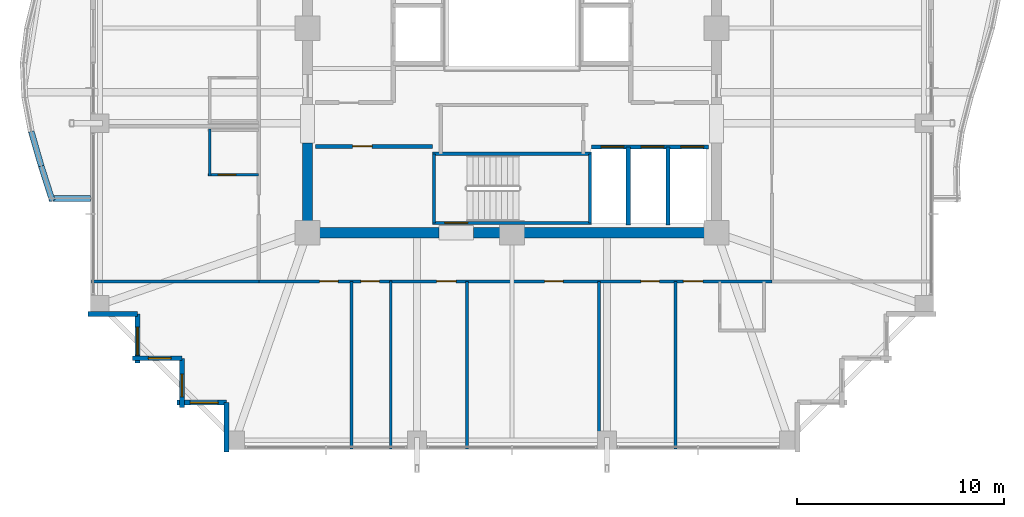
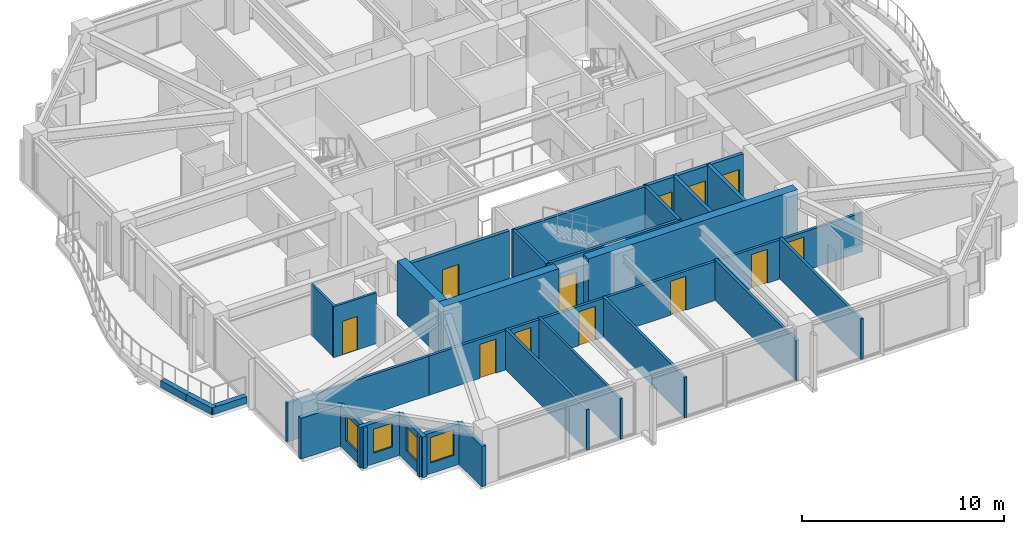
# One storey, part 29 of 35: 29 walls, 12 doors, 4 windows, 16 openings.
"""IFC4 building model written with IfcOpenShell, lengths in metres."""

import ifcopenshell
import ifcopenshell.guid

model = None  # the IFC model being written
_history = None  # IfcOwnerHistory: only IFC2X3 demands one
_inside = {}  # id of a spatial element -> (the spatial element, [elements in it])
_under = {}  # id of a project, library or spatial element -> (it, [spatial elements below it])
_declared = {}  # id of a project -> (the project, [libraries it declares])
_typed = {}  # id of a type object -> (the type object, [elements of that type])
_made_of = {}  # id of a material, layer set ... -> (it, [elements and type objects made of it])


def new_model(schema):
    """Start an empty IFC model of exactly this schema.

    Asked for "IFC4X3", IfcOpenShell would pick the latest addendum, in which some entities
    have other attributes; the version numbers below select the first issue.
    IFC2X3 requires an IfcOwnerHistory on every rooted entity: one is made here for all.
    """
    global model, _history
    if schema == "IFC4X3":
        model = ifcopenshell.file(schema_version=(4, 3, 0, 0))
    else:
        model = ifcopenshell.file(schema=schema)
    _inside.clear()
    _under.clear()
    _declared.clear()
    _typed.clear()
    _made_of.clear()
    _history = None
    if model.schema == "IFC2X3":
        org = make("IfcOrganization", Name="unknown")
        user = make(
            "IfcPersonAndOrganization",
            ThePerson=make("IfcPerson", FamilyName="unknown"),
            TheOrganization=org,
        )
        app = make(
            "IfcApplication",
            ApplicationDeveloper=org,
            Version="unknown",
            ApplicationFullName="unknown",
            ApplicationIdentifier="unknown",
        )
        _history = make(
            "IfcOwnerHistory",
            OwningUser=user,
            OwningApplication=app,
            ChangeAction="ADDED",
            CreationDate=0,
        )
    return model


def make(cls, **values):
    """One entity of the class cls with the attributes given. An attribute that is None is left unset."""
    return model.create_entity(
        cls, **{name: value for name, value in values.items() if value is not None}
    )


def rooted(cls, **values):
    """An entity with a GlobalId (a new one), such as an element, a storey or a relation."""
    return make(cls, GlobalId=ifcopenshell.guid.new(), OwnerHistory=_history, **values)


def si_unit(unit_type, name, prefix=None):
    """IfcSIUnit, for example si_unit("LENGTHUNIT", "METRE", prefix="MILLI")."""
    return make("IfcSIUnit", UnitType=unit_type, Prefix=prefix, Name=name)


def assignment(units):
    """IfcUnitAssignment: the units of a project."""
    return None if units is None else make("IfcUnitAssignment", Units=units)


def point(xyz):
    """IfcCartesianPoint."""
    return None if xyz is None else make("IfcCartesianPoint", Coordinates=xyz)


def direction(xyz):
    """IfcDirection."""
    return None if xyz is None else make("IfcDirection", DirectionRatios=xyz)


def frame(location, z_axis=None, x_axis=None):
    """IfcAxis2Placement3D, a coordinate frame: its origin and axes. An axis left out is left unset."""
    return make(
        "IfcAxis2Placement3D",
        Location=point(location),
        Axis=direction(z_axis),
        RefDirection=direction(x_axis),
    )


def frame_2d(location, x_axis=None):
    """IfcAxis2Placement2D, a coordinate frame in the plane: its origin and x axis."""
    return make(
        "IfcAxis2Placement2D", Location=point(location), RefDirection=direction(x_axis)
    )


def origin():
    """The frame at (0, 0, 0) with its axes left unset."""
    return frame((0.0, 0.0, 0.0))


def place(relative_to, where):
    """IfcLocalPlacement: puts the frame where relative to a parent placement (None: the world)."""
    return make(
        "IfcLocalPlacement", PlacementRelTo=relative_to, RelativePlacement=where
    )


def context(
    kind, dimensions, precision=None, world=None, true_north=None, identifier=None
):
    """IfcGeometricRepresentationContext, for example the 3D "Model" context."""
    return make(
        "IfcGeometricRepresentationContext",
        ContextIdentifier=identifier,
        ContextType=kind,
        CoordinateSpaceDimension=dimensions,
        Precision=precision,
        WorldCoordinateSystem=world,
        TrueNorth=true_north,
    )


def subcontext(parent, identifier, kind, view, scale=None):
    """IfcGeometricRepresentationSubContext, for example "Body" below "Model"."""
    return make(
        "IfcGeometricRepresentationSubContext",
        ContextIdentifier=identifier,
        ContextType=kind,
        ParentContext=parent,
        TargetScale=scale,
        TargetView=view,
    )


def project(units=None, contexts=None):
    """IfcProject with its units and contexts."""
    return rooted(
        "IfcProject",
        Name="project",
        RepresentationContexts=contexts,
        UnitsInContext=assignment(units),
    )


def spatial(cls, under=None, at=None, **own):
    """A site, building, storey or space (cls), placed at a placement, below another one or the project."""
    s = rooted(cls, ObjectPlacement=at, **own)
    if under is not None:
        _under.setdefault(under.id(), (under, []))[1].append(s)
    return s


def profile(cls, at=None, kind="AREA", **sizes):
    """A parametric profile (cls). Its sizes go by their IFC names, for example OverallWidth=200.0."""
    return make(cls, ProfileType=kind, Position=at, **sizes)


def rectangle(**sizes):
    """IfcRectangleProfileDef."""
    return profile("IfcRectangleProfileDef", **sizes)


def extrude(swept, where, along, depth):
    """IfcExtrudedAreaSolid: the profile swept, set in the frame where, extruded along a direction by depth."""
    return make(
        "IfcExtrudedAreaSolid",
        SweptArea=swept,
        Position=where,
        ExtrudedDirection=direction(along),
        Depth=depth,
    )


def shape(context_of_items, identifier, shape_type, items):
    """IfcShapeRepresentation: the items that make up one representation, for example the "Body"."""
    return make(
        "IfcShapeRepresentation",
        ContextOfItems=context_of_items,
        RepresentationIdentifier=identifier,
        RepresentationType=shape_type,
        Items=items,
    )


def material(Name=None, Category=None):
    """IfcMaterial."""
    return make("IfcMaterial", Name=Name, Category=Category)


def layer(
    of_material, thickness, ventilated=None, Name=None, Category=None, Priority=None
):
    """IfcMaterialLayer: one layer of a wall or slab, of a material (None: an air gap)."""
    return make(
        "IfcMaterialLayer",
        Material=of_material,
        LayerThickness=thickness,
        IsVentilated=ventilated,
        Name=Name,
        Category=Category,
        Priority=Priority,
    )


def layer_set(layers, Name=None):
    """IfcMaterialLayerSet."""
    return make("IfcMaterialLayerSet", MaterialLayers=layers, LayerSetName=Name)


def made_of(thing, what):
    """Note that an element or type object is made of a material, layer set ...; save() writes the relation."""
    if what is not None:
        _made_of.setdefault(what.id(), (what, []))[1].append(thing)
    return thing


def type_object(cls, material=None, **own):
    """A type object (cls), such as IfcWallType, which elements share."""
    return made_of(rooted(cls, **own), material)


def element(
    cls,
    number,
    at=None,
    inside=None,
    cuts=None,
    type_object=None,
    material=None,
    context=None,
    identifier="Body",
    shape_type=None,
    held_by="IfcProductDefinitionShape",
    body=None,
    shapes=None,
    **own,
):
    """One element of the class cls, such as IfcWall. Its Tag is "e" and its number.

    at: its placement. inside: the storey or other place that contains it. cuts: it is an
    opening in that element (IfcRelVoidsElement). A single representation is given by context,
    identifier, shape_type and body (its items); several are given by shapes. held_by: the class
    of the entity that holds the representations. save() writes the other relations.
    """
    e = rooted(cls, Tag="e%d" % number, ObjectPlacement=at, **own)
    if body is not None:
        shapes = [shape(context, identifier, shape_type, body)]
    if shapes is not None:
        e.Representation = make(held_by, Representations=shapes)
    if inside is not None:
        _inside.setdefault(inside.id(), (inside, []))[1].append(e)
    if cuts is not None:
        rooted(
            "IfcRelVoidsElement", RelatingBuildingElement=cuts, RelatedOpeningElement=e
        )
    if type_object is not None:
        _typed.setdefault(type_object.id(), (type_object, []))[1].append(e)
    return made_of(e, material)


def fill(opening, filler):
    """IfcRelFillsElement: the door or window that sits in an opening."""
    return rooted(
        "IfcRelFillsElement",
        RelatingOpeningElement=opening,
        RelatedBuildingElement=filler,
    )


def aggregate(whole, parts):
    """IfcRelAggregates: a whole, such as a stair, and the parts it consists of."""
    return rooted("IfcRelAggregates", RelatingObject=whole, RelatedObjects=parts)


def save(model, path):
    """Write the relations noted so far, then the file.

    IfcRelAggregates (storeys below a building ...), IfcRelContainedInSpatialStructure (elements
    in a storey), IfcRelDefinesByType, IfcRelAssociatesMaterial and IfcRelDeclares: one each for
    every whole, place, type object, material and project.
    """
    for whole, parts in _under.values():
        aggregate(whole, parts)
    for where, things in _inside.values():
        rooted(
            "IfcRelContainedInSpatialStructure",
            RelatedElements=things,
            RelatingStructure=where,
        )
    for kind, things in _typed.values():
        rooted("IfcRelDefinesByType", RelatedObjects=things, RelatingType=kind)
    for what, things in _made_of.values():
        rooted("IfcRelAssociatesMaterial", RelatedObjects=things, RelatingMaterial=what)
    for by, libraries in _declared.values():
        rooted("IfcRelDeclares", RelatingContext=by, RelatedDefinitions=libraries)
    model.write(path)


model = new_model("IFC4")

# Units and contexts
model_context = context("Model", 3, precision=1e-05, world=origin(), true_north=direction((0.0, 1.0)))
body_context = subcontext(model_context, "Body", "Model", "MODEL_VIEW")
ifc_project = project(units=[si_unit("LENGTHUNIT", "METRE"), si_unit("AREAUNIT", "SQUARE_METRE"), si_unit("VOLUMEUNIT", "CUBIC_METRE"), si_unit("PLANEANGLEUNIT", "RADIAN"), si_unit("MASSUNIT", "GRAM", prefix="KILO")], contexts=[model_context])

# Site, building, storey
site_placement = place(None, origin())
site = spatial("IfcSite", under=ifc_project, at=site_placement, CompositionType="ELEMENT")
building_placement = place(site_placement, origin())
building = spatial("IfcBuilding", under=site, at=building_placement, Name="Kolvaren Belvedere", CompositionType="ELEMENT")
storey_placement = place(building_placement, frame((0.0, 0.0, 176.699951171875)))
storey = spatial("IfcBuildingStorey", under=building, at=storey_placement, Name="L51", CompositionType="ELEMENT", Elevation=176.699951171875)

# Walls
ifc_material_1 = material(Name="Concrete C50/60", Category="concrete")
ifc_layer_1 = layer(ifc_material_1, 0.5)
ifc_layer_set_1 = layer_set([ifc_layer_1], Name="Concrete C50/60")
wall_type_1 = type_object("IfcWallType", Name="CW-CORE-500", PredefinedType="SHEAR", material=ifc_layer_set_1)
wall_1_placement = place(storey_placement, frame((10.14990234375, -9.89990234375, 0.0), z_axis=(0.0, 0.0, 1.0), x_axis=(-1.0, 0.0, 0.0)))
element("IfcWall", 1, at=wall_1_placement, inside=storey, type_object=wall_type_1, Name="L51 South Core Shear Wall 1", PredefinedType="SHEAR", context=body_context, shape_type="SweptSolid", body=[
    extrude(rectangle(XDim=12.010009765625, YDim=0.5, at=frame_2d((6.0048828125, 0.0))), origin(), (0.0, 0.0, 1.0), 3.300048828125),
])
wall_2_placement = place(storey_placement, frame((-3.5400390625, -9.89990234375, 0.0), z_axis=(0.0, 0.0, 1.0), x_axis=(-1.0, 0.0, 0.0)))
element("IfcWall", 2, at=wall_2_placement, inside=storey, type_object=wall_type_1, Name="L51 South Core Shear Wall 2", PredefinedType="SHEAR", context=body_context, shape_type="SweptSolid", body=[
    extrude(rectangle(XDim=6.60986328125, YDim=0.5, at=frame_2d((3.304931640625, 0.0))), origin(), (0.0, 0.0, 1.0), 3.300048828125),
])
wall_3_placement = place(storey_placement, frame((-9.89990234375, -9.64990234375, 0.0), z_axis=(0.0, 0.0, 1.0), x_axis=(0.0, 1.0, 0.0)))
element("IfcWall", 3, at=wall_3_placement, inside=storey, type_object=wall_type_1, Name="L51 West Core Shear Wall 1", PredefinedType="SHEAR", context=body_context, shape_type="SweptSolid", body=[
    extrude(rectangle(XDim=4.099853515625, YDim=0.5, at=frame_2d((2.0498046875, 0.0))), origin(), (0.0, 0.0, 1.0), 3.300048828125),
])

# Wall, opening, door
ifc_material_2 = material(Name="Concrete C50/60", Category="concrete")
ifc_layer_2 = layer(ifc_material_2, 0.159912109375)
ifc_layer_set_2 = layer_set([ifc_layer_2], Name="Concrete C50/60")
wall_type_2 = type_object("IfcWallType", Name="CW-STAIR-160", PredefinedType="SHEAR", material=ifc_layer_set_2)
wall_4_placement = place(storey_placement, frame((3.860107421875, -9.429931640625, 0.0), z_axis=(0.0, 0.0, 1.0), x_axis=(-1.0, 0.0, 0.0)))
wall_4 = element("IfcWall", 4, at=wall_4_placement, inside=storey, type_object=wall_type_2, Name="L51 Stair ST-3 South Shear Wall", PredefinedType="SHEAR", context=body_context, shape_type="SweptSolid", body=[
    extrude(rectangle(XDim=7.72021484375, YDim=0.159912109375, at=frame_2d((3.860107421875, 0.0))), origin(), (0.0, 0.0, 1.0), 3.300048828125),
])
opening_1_placement = place(wall_4_placement, frame((6.010009765625, 0.0, 0.0)))
opening_1 = element("IfcOpeningElement", 5, at=opening_1_placement, cuts=wall_4, Name="Opening D-FD90", PredefinedType="OPENING", context=body_context, shape_type="SweptSolid", body=[
    extrude(rectangle(XDim=1.10009765625, YDim=2.199951171875, at=frame_2d((0.550048828125, 1.10009765625))), frame((0.0, 0.08984375, 0.0), z_axis=(0.0, -1.0, 0.0), x_axis=(1.0, 0.0, 0.0)), (0.0, 0.0, 1.0), 0.179931640625),
])
ifc_material_3 = material(Name="Painted hollow stainless steel", Category="steel")
door_type_1 = type_object("IfcDoorType", Name="DR-FD90-1100", OperationType="NOTDEFINED", PredefinedType="DOOR", material=ifc_material_3)
door_1_placement = place(opening_1_placement, origin())
door_1 = element("IfcDoor", 6, at=door_1_placement, inside=storey, type_object=door_type_1, Name="L51 Stair ST-3 Exit Door", OperationType="SINGLE_SWING_RIGHT", OverallHeight=2.199951171875, OverallWidth=1.10009765625, PredefinedType="DOOR", context=body_context, shape_type="SweptSolid", body=[
    extrude(rectangle(XDim=1.10009765625, YDim=2.199951171875, at=frame_2d((0.550048828125, 1.10009765625))), frame((0.0, 0.02490234375, 0.0), z_axis=(0.0, -1.0, 0.0), x_axis=(1.0, 0.0, 0.0)), (0.0, 0.0, 1.0), 0.050048828125),
])
fill(opening_1, door_1)

# Walls
wall_5_placement = place(storey_placement, frame((-3.860107421875, -6.080078125, 0.0), z_axis=(0.0, 0.0, 1.0), x_axis=(1.0, 0.0, 0.0)))
element("IfcWall", 7, at=wall_5_placement, inside=storey, type_object=wall_type_2, Name="L51 Stair ST-3 North Shear Wall", PredefinedType="SHEAR", context=body_context, shape_type="SweptSolid", body=[
    extrude(rectangle(XDim=7.72021484375, YDim=0.159912109375, at=frame_2d((3.860107421875, 0.0))), origin(), (0.0, 0.0, 1.0), 3.300048828125),
])
for number, where, z_axis, x_axis, name in (
    (8, (-3.780029296875, -9.429931640625, 0.0), (0.0, 0.0, 1.0), (0.0, 1.0, 0.0), "L51 Stair ST-3 West Shear Wall"),
    (9, (3.780029296875, -9.429931640625, 0.0), (0.0, 0.0, 1.0), (0.0, 1.0, 0.0), "L51 Stair ST-3 East Shear Wall"),
):
    element("IfcWall", number, at=place(storey_placement, frame(where, z_axis=z_axis, x_axis=x_axis)), inside=storey, type_object=wall_type_2, Name=name, PredefinedType="SHEAR", context=body_context, shape_type="SweptSolid", body=[
        extrude(rectangle(XDim=3.349853515625, YDim=0.159912109375, at=frame_2d((1.6748046875, 0.0))), origin(), (0.0, 0.0, 1.0), 3.300048828125),
    ])

# Wall, openings, doors
ifc_material_4 = material(Name="Gypsum fire-rated partition assembly", Category="gypsum")
ifc_layer_3 = layer(ifc_material_4, 0.14990234375)
ifc_layer_set_3 = layer_set([ifc_layer_3], Name="Gypsum fire-rated partition assembly")
wall_type_3 = type_object("IfcWallType", Name="WL-CORR-150", PredefinedType="PARTITIONING", material=ifc_layer_set_3)
wall_6_placement = place(storey_placement, frame((-12.260009765625, -12.260009765625, 0.0), z_axis=(0.0, 0.0, 1.0), x_axis=(1.0, 0.0, 0.0)))
wall_6 = element("IfcWall", 10, at=wall_6_placement, inside=storey, type_object=wall_type_3, Name="L51 South Corridor Wall", PredefinedType="PARTITIONING", context=body_context, shape_type="SweptSolid", body=[
    extrude(rectangle(XDim=24.840087890625, YDim=0.14990234375, at=frame_2d((12.419921875, 0.0))), origin(), (0.0, 0.0, 1.0), 2.369140625),
])
opening_2_placement = place(wall_6_placement, frame((2.9443359375, 0.0, 0.0)))
opening_2 = element("IfcOpeningElement", 11, at=opening_2_placement, cuts=wall_6, Name="Opening D-INT90", PredefinedType="OPENING", context=body_context, shape_type="SweptSolid", body=[
    extrude(rectangle(XDim=0.89990234375, YDim=2.06005859375, at=frame_2d((0.449951171875, 1.030029296875))), frame((0.0, 0.0849609375, 0.0), z_axis=(0.0, -1.0, 0.0), x_axis=(1.0, 0.0, 0.0)), (0.0, 0.0, 1.0), 0.169921875),
])
opening_3_placement = place(wall_6_placement, frame((4.94482421875, 0.0, 0.0)))
opening_3 = element("IfcOpeningElement", 12, at=opening_3_placement, cuts=wall_6, Name="Opening D-INT90", PredefinedType="OPENING", context=body_context, shape_type="SweptSolid", body=[
    extrude(rectangle(XDim=0.89990234375, YDim=2.06005859375, at=frame_2d((0.449951171875, 1.030029296875))), frame((0.0, 0.0849609375, 0.0), z_axis=(0.0, -1.0, 0.0), x_axis=(1.0, 0.0, 0.0)), (0.0, 0.0, 1.0), 0.169921875),
])
opening_4_placement = place(wall_6_placement, frame((8.610595703125, 0.0, 0.0)))
opening_4 = element("IfcOpeningElement", 13, at=opening_4_placement, cuts=wall_6, Name="Opening D-INT95", PredefinedType="OPENING", context=body_context, shape_type="SweptSolid", body=[
    extrude(rectangle(XDim=0.949951171875, YDim=2.06005859375, at=frame_2d((0.47509765625, 1.030029296875))), frame((0.0, 0.0849609375, 0.0), z_axis=(0.0, -1.0, 0.0), x_axis=(1.0, 0.0, 0.0)), (0.0, 0.0, 1.0), 0.169921875),
])
opening_5_placement = place(wall_6_placement, frame((13.840087890625, 0.0, 0.0)))
opening_5 = element("IfcOpeningElement", 14, at=opening_5_placement, cuts=wall_6, Name="Opening D-INT90", PredefinedType="OPENING", context=body_context, shape_type="SweptSolid", body=[
    extrude(rectangle(XDim=0.89990234375, YDim=2.06005859375, at=frame_2d((0.449951171875, 1.030029296875))), frame((0.0, 0.0849609375, 0.0), z_axis=(0.0, -1.0, 0.0), x_axis=(1.0, 0.0, 0.0)), (0.0, 0.0, 1.0), 0.169921875),
])
opening_6_placement = place(wall_6_placement, frame((18.50048828125, 0.0, 0.0)))
opening_6 = element("IfcOpeningElement", 15, at=opening_6_placement, cuts=wall_6, Name="Opening D-INT90", PredefinedType="OPENING", context=body_context, shape_type="SweptSolid", body=[
    extrude(rectangle(XDim=0.89990234375, YDim=2.06005859375, at=frame_2d((0.449951171875, 1.030029296875))), frame((0.0, 0.0849609375, 0.0), z_axis=(0.0, -1.0, 0.0), x_axis=(1.0, 0.0, 0.0)), (0.0, 0.0, 1.0), 0.169921875),
])
opening_7_placement = place(wall_6_placement, frame((20.552001953125, 0.0, 0.0)))
opening_7 = element("IfcOpeningElement", 16, at=opening_7_placement, cuts=wall_6, Name="Opening D-FD60", PredefinedType="OPENING", context=body_context, shape_type="SweptSolid", body=[
    extrude(rectangle(XDim=0.949951171875, YDim=2.06005859375, at=frame_2d((0.47509765625, 1.030029296875))), frame((0.0, 0.0849609375, 0.0), z_axis=(0.0, -1.0, 0.0), x_axis=(1.0, 0.0, 0.0)), (0.0, 0.0, 1.0), 0.169921875),
])
ifc_material_5 = material(Name="Acoustic white-oak fire door leaf", Category="timber")
door_type_2 = type_object("IfcDoorType", Name="DR-FD60-950", OperationType="NOTDEFINED", PredefinedType="DOOR", material=ifc_material_5)
door_2_placement = place(opening_7_placement, origin())
door_2 = element("IfcDoor", 17, at=door_2_placement, inside=storey, type_object=door_type_2, Name="L51 Deluxe King Guest Room 5104 Entry Door", OperationType="SINGLE_SWING_LEFT", OverallHeight=2.06005859375, OverallWidth=0.949951171875, PredefinedType="DOOR", context=body_context, shape_type="SweptSolid", body=[
    extrude(rectangle(XDim=0.949951171875, YDim=2.06005859375, at=frame_2d((0.47509765625, 1.030029296875))), frame((0.0, 0.02490234375, 0.0), z_axis=(0.0, -1.0, 0.0), x_axis=(1.0, 0.0, 0.0)), (0.0, 0.0, 1.0), 0.050048828125),
])
fill(opening_7, door_2)
ifc_material_6 = material(Name="Stained Pacific white oak", Category="timber")
door_type_3 = type_object("IfcDoorType", Name="DR-INT-900", OperationType="NOTDEFINED", PredefinedType="DOOR", material=ifc_material_6)
door_3_placement = place(opening_2_placement, origin())
door_3 = element("IfcDoor", 18, at=door_3_placement, inside=storey, type_object=door_type_3, Name="L51 Guest Tea & Espresso Kitchen 5101 Door", OperationType="SINGLE_SWING_LEFT", OverallHeight=2.06005859375, OverallWidth=0.89990234375, PredefinedType="DOOR", context=body_context, shape_type="SweptSolid", body=[
    extrude(rectangle(XDim=0.89990234375, YDim=2.06005859375, at=frame_2d((0.449951171875, 1.030029296875))), frame((0.0, 0.02490234375, 0.0), z_axis=(0.0, -1.0, 0.0), x_axis=(1.0, 0.0, 0.0)), (0.0, 0.0, 1.0), 0.050048828125),
])
fill(opening_2, door_3)
door_4_placement = place(opening_3_placement, origin())
door_4 = element("IfcDoor", 19, at=door_4_placement, inside=storey, type_object=door_type_3, Name="L51 Housekeeping Door", OperationType="SINGLE_SWING_RIGHT", OverallHeight=2.06005859375, OverallWidth=0.89990234375, PredefinedType="DOOR", context=body_context, shape_type="SweptSolid", body=[
    extrude(rectangle(XDim=0.89990234375, YDim=2.06005859375, at=frame_2d((0.449951171875, 1.030029296875))), frame((0.0, 0.02490234375, 0.0), z_axis=(0.0, -1.0, 0.0), x_axis=(1.0, 0.0, 0.0)), (0.0, 0.0, 1.0), 0.050048828125),
])
fill(opening_3, door_4)
door_5_placement = place(opening_5_placement, origin())
door_5 = element("IfcDoor", 20, at=door_5_placement, inside=storey, type_object=door_type_3, Name="L51 Private Hospitality Meeting Room 5102 Door", OperationType="SINGLE_SWING_RIGHT", OverallHeight=2.06005859375, OverallWidth=0.89990234375, PredefinedType="DOOR", context=body_context, shape_type="SweptSolid", body=[
    extrude(rectangle(XDim=0.89990234375, YDim=2.06005859375, at=frame_2d((0.449951171875, 1.030029296875))), frame((0.0, 0.02490234375, 0.0), z_axis=(0.0, -1.0, 0.0), x_axis=(1.0, 0.0, 0.0)), (0.0, 0.0, 1.0), 0.050048828125),
])
fill(opening_5, door_5)
door_6_placement = place(opening_6_placement, origin())
door_6 = element("IfcDoor", 21, at=door_6_placement, inside=storey, type_object=door_type_3, Name="L51 Botanical Reading Salon 5103 Door", OperationType="SINGLE_SWING_LEFT", OverallHeight=2.06005859375, OverallWidth=0.89990234375, PredefinedType="DOOR", context=body_context, shape_type="SweptSolid", body=[
    extrude(rectangle(XDim=0.89990234375, YDim=2.06005859375, at=frame_2d((0.449951171875, 1.030029296875))), frame((0.0, 0.02490234375, 0.0), z_axis=(0.0, -1.0, 0.0), x_axis=(1.0, 0.0, 0.0)), (0.0, 0.0, 1.0), 0.050048828125),
])
fill(opening_6, door_6)
ifc_material_7 = material(Name="Stained Pacific white oak", Category="timber")
door_type_4 = type_object("IfcDoorType", Name="DR-INT-950", OperationType="NOTDEFINED", PredefinedType="DOOR", material=ifc_material_7)
door_7_placement = place(opening_4_placement, origin())
door_7 = element("IfcDoor", 22, at=door_7_placement, inside=storey, type_object=door_type_4, Name="L51 Accessible Washroom Door", OperationType="SINGLE_SWING_LEFT", OverallHeight=2.06005859375, OverallWidth=0.949951171875, PredefinedType="DOOR", context=body_context, shape_type="SweptSolid", body=[
    extrude(rectangle(XDim=0.949951171875, YDim=2.06005859375, at=frame_2d((0.47509765625, 1.030029296875))), frame((0.0, 0.02490234375, 0.0), z_axis=(0.0, -1.0, 0.0), x_axis=(1.0, 0.0, 0.0)), (0.0, 0.0, 1.0), 0.050048828125),
])
fill(opening_4, door_7)

# Wall
ifc_material_8 = material(Name="Insulated pale-metal facade wall assembly", Category="aluminium")
ifc_layer_4 = layer(ifc_material_8, 0.239990234375)
ifc_layer_set_4 = layer_set([ifc_layer_4], Name="Insulated pale-metal facade wall assembly")
wall_type_4 = type_object("IfcWallType", Name="WL-EXT-240", PredefinedType="STANDARD", material=ifc_layer_set_4)
wall_7_placement = place(storey_placement, frame((-18.1298828125, -13.830078125, 0.0), z_axis=(0.0, 0.0, 1.0), x_axis=(-1.0, 0.0, 0.0)))
element("IfcWall", 23, at=wall_7_placement, inside=storey, type_object=wall_type_4, Name="L51 Serrated Corner Facade Wall 23", PredefinedType="STANDARD", context=body_context, shape_type="SweptSolid", body=[
    extrude(rectangle(XDim=2.39013671875, YDim=0.239990234375, at=frame_2d((1.195068359375, 0.0))), origin(), (0.0, 0.0, 1.0), 2.463134765625),
])

# Wall, opening, window
wall_8_placement = place(storey_placement, frame((-18.1298828125, -16.219970703125, 0.0), z_axis=(0.0, 0.0, 1.0), x_axis=(0.0, 1.0, 0.0)))
wall_8 = element("IfcWall", 24, at=wall_8_placement, inside=storey, type_object=wall_type_4, Name="L51 Serrated Corner Facade Wall 24", PredefinedType="STANDARD", context=body_context, shape_type="SweptSolid", body=[
    extrude(rectangle(XDim=2.389892578125, YDim=0.239990234375, at=frame_2d((1.19482421875, 0.0))), origin(), (0.0, 0.0, 1.0), 2.463134765625),
])
opening_8_placement = place(wall_8_placement, frame((0.39990234375, 0.0, 0.64990234375)))
opening_8 = element("IfcOpeningElement", 25, at=opening_8_placement, cuts=wall_8, Name="Opening W-1350", PredefinedType="OPENING", context=body_context, shape_type="SweptSolid", body=[
    extrude(rectangle(XDim=1.35009765625, YDim=1.550048828125, at=frame_2d((0.675048828125, 0.77490234375))), frame((0.0, 0.1298828125, 0.0), z_axis=(0.0, -1.0, 0.0), x_axis=(1.0, 0.0, 0.0)), (0.0, 0.0, 1.0), 0.260009765625),
])
ifc_material_9 = material(Name="Low-iron triple insulated glass", Category="glass")
window_type_1 = type_object("IfcWindowType", Name="WN-CORN-1350", PartitioningType="SINGLE_PANEL", PredefinedType="WINDOW", material=ifc_material_9)
window_1_placement = place(opening_8_placement, origin())
window_1 = element("IfcWindow", 26, at=window_1_placement, inside=storey, type_object=window_type_1, Name="L51 Serrated Corner Vision Window 24", OverallHeight=1.550048828125, OverallWidth=1.35009765625, PartitioningType="SINGLE_PANEL", PredefinedType="WINDOW", context=body_context, shape_type="SweptSolid", body=[
    extrude(rectangle(XDim=1.35009765625, YDim=1.550048828125, at=frame_2d((0.675048828125, 0.77490234375))), frame((0.0, 0.030029296875, 0.0), z_axis=(0.0, -1.0, 0.0), x_axis=(1.0, 0.0, 0.0)), (0.0, 0.0, 1.0), 0.06005859375),
])
fill(opening_8, window_1)

wall_9_placement = place(storey_placement, frame((-15.97998046875, -15.97998046875, 0.0), z_axis=(0.0, 0.0, 1.0), x_axis=(-1.0, 0.0, 0.0)))
wall_9 = element("IfcWall", 27, at=wall_9_placement, inside=storey, type_object=wall_type_4, Name="L51 Serrated Corner Facade Wall 25", PredefinedType="STANDARD", context=body_context, shape_type="SweptSolid", body=[
    extrude(rectangle(XDim=2.39013671875, YDim=0.239990234375, at=frame_2d((1.195068359375, 0.0))), origin(), (0.0, 0.0, 1.0), 2.463134765625),
])
opening_9_placement = place(wall_9_placement, frame((0.52490234375, 0.0, 0.64990234375)))
opening_9 = element("IfcOpeningElement", 28, at=opening_9_placement, cuts=wall_9, Name="Opening W-1100", PredefinedType="OPENING", context=body_context, shape_type="SweptSolid", body=[
    extrude(rectangle(XDim=1.10009765625, YDim=1.449951171875, at=frame_2d((0.550048828125, 0.72509765625))), frame((0.0, 0.1298828125, 0.0), z_axis=(0.0, -1.0, 0.0), x_axis=(1.0, 0.0, 0.0)), (0.0, 0.0, 1.0), 0.260009765625),
])
ifc_material_10 = material(Name="Low-iron triple insulated glass", Category="glass")
window_type_2 = type_object("IfcWindowType", Name="WN-CORN-1100", PartitioningType="SINGLE_PANEL", PredefinedType="WINDOW", material=ifc_material_10)
window_2_placement = place(opening_9_placement, origin())
window_2 = element("IfcWindow", 29, at=window_2_placement, inside=storey, type_object=window_type_2, Name="L51 Serrated Corner Vision Window 25", OverallHeight=1.449951171875, OverallWidth=1.10009765625, PartitioningType="SINGLE_PANEL", PredefinedType="WINDOW", context=body_context, shape_type="SweptSolid", body=[
    extrude(rectangle(XDim=1.10009765625, YDim=1.449951171875, at=frame_2d((0.550048828125, 0.72509765625))), frame((0.0, 0.030029296875, 0.0), z_axis=(0.0, -1.0, 0.0), x_axis=(1.0, 0.0, 0.0)), (0.0, 0.0, 1.0), 0.06005859375),
])
fill(opening_9, window_2)

wall_10_placement = place(storey_placement, frame((-15.97998046875, -18.3701171875, 0.0), z_axis=(0.0, 0.0, 1.0), x_axis=(0.0, 1.0, 0.0)))
wall_10 = element("IfcWall", 30, at=wall_10_placement, inside=storey, type_object=wall_type_4, Name="L51 Serrated Corner Facade Wall 26", PredefinedType="STANDARD", context=body_context, shape_type="SweptSolid", body=[
    extrude(rectangle(XDim=2.39013671875, YDim=0.239990234375, at=frame_2d((1.195068359375, 0.0))), origin(), (0.0, 0.0, 1.0), 2.463134765625),
])
opening_10_placement = place(wall_10_placement, frame((0.52490234375, 0.0, 0.64990234375)))
opening_10 = element("IfcOpeningElement", 31, at=opening_10_placement, cuts=wall_10, Name="Opening W-1100", PredefinedType="OPENING", context=body_context, shape_type="SweptSolid", body=[
    extrude(rectangle(XDim=1.10009765625, YDim=1.449951171875, at=frame_2d((0.550048828125, 0.72509765625))), frame((0.0, 0.1298828125, 0.0), z_axis=(0.0, -1.0, 0.0), x_axis=(1.0, 0.0, 0.0)), (0.0, 0.0, 1.0), 0.260009765625),
])
window_3_placement = place(opening_10_placement, origin())
window_3 = element("IfcWindow", 32, at=window_3_placement, inside=storey, type_object=window_type_2, Name="L51 Serrated Corner Vision Window 26", OverallHeight=1.449951171875, OverallWidth=1.10009765625, PartitioningType="SINGLE_PANEL", PredefinedType="WINDOW", context=body_context, shape_type="SweptSolid", body=[
    extrude(rectangle(XDim=1.10009765625, YDim=1.449951171875, at=frame_2d((0.550048828125, 0.72509765625))), frame((0.0, 0.030029296875, 0.0), z_axis=(0.0, -1.0, 0.0), x_axis=(1.0, 0.0, 0.0)), (0.0, 0.0, 1.0), 0.06005859375),
])
fill(opening_10, window_3)

wall_11_placement = place(storey_placement, frame((-13.830078125, -18.1298828125, 0.0), z_axis=(0.0, 0.0, 1.0), x_axis=(-1.0, 0.0, 0.0)))
wall_11 = element("IfcWall", 33, at=wall_11_placement, inside=storey, type_object=wall_type_4, Name="L51 Serrated Corner Facade Wall 27", PredefinedType="STANDARD", context=body_context, shape_type="SweptSolid", body=[
    extrude(rectangle(XDim=2.389892578125, YDim=0.239990234375, at=frame_2d((1.19482421875, 0.0))), origin(), (0.0, 0.0, 1.0), 2.463134765625),
])
opening_11_placement = place(wall_11_placement, frame((0.39990234375, 0.0, 0.64990234375)))
opening_11 = element("IfcOpeningElement", 34, at=opening_11_placement, cuts=wall_11, Name="Opening W-1350", PredefinedType="OPENING", context=body_context, shape_type="SweptSolid", body=[
    extrude(rectangle(XDim=1.35009765625, YDim=1.550048828125, at=frame_2d((0.675048828125, 0.77490234375))), frame((0.0, 0.1298828125, 0.0), z_axis=(0.0, -1.0, 0.0), x_axis=(1.0, 0.0, 0.0)), (0.0, 0.0, 1.0), 0.260009765625),
])
window_4_placement = place(opening_11_placement, origin())
window_4 = element("IfcWindow", 35, at=window_4_placement, inside=storey, type_object=window_type_1, Name="L51 Serrated Corner Vision Window 27", OverallHeight=1.550048828125, OverallWidth=1.35009765625, PartitioningType="SINGLE_PANEL", PredefinedType="WINDOW", context=body_context, shape_type="SweptSolid", body=[
    extrude(rectangle(XDim=1.35009765625, YDim=1.550048828125, at=frame_2d((0.675048828125, 0.77490234375))), frame((0.0, 0.030029296875, 0.0), z_axis=(0.0, -1.0, 0.0), x_axis=(1.0, 0.0, 0.0)), (0.0, 0.0, 1.0), 0.06005859375),
])
fill(opening_11, window_4)

# Walls
wall_12_placement = place(storey_placement, frame((-13.830078125, -20.52001953125, 0.0), z_axis=(0.0, 0.0, 1.0), x_axis=(0.0, 1.0, 0.0)))
element("IfcWall", 36, at=wall_12_placement, inside=storey, type_object=wall_type_4, Name="L51 Serrated Corner Facade Wall 28", PredefinedType="STANDARD", context=body_context, shape_type="SweptSolid", body=[
    extrude(rectangle(XDim=2.39013671875, YDim=0.239990234375, at=frame_2d((1.195068359375, 0.0))), origin(), (0.0, 0.0, 1.0), 2.463134765625),
])
ifc_material_11 = material(Name="Gypsum acoustic partition assembly", Category="gypsum")
ifc_layer_5 = layer(ifc_material_11, 0.14990234375)
ifc_layer_set_5 = layer_set([ifc_layer_5], Name="Gypsum acoustic partition assembly")
wall_type_5 = type_object("IfcWallType", Name="WL-PART-150", PredefinedType="PARTITIONING", material=ifc_layer_set_5)
wall_13_placement = place(storey_placement, frame((-20.3798828125, -12.260009765625, 0.0), z_axis=(0.0, 0.0, 1.0), x_axis=(1.0, 0.0, 0.0)))
element("IfcWall", 37, at=wall_13_placement, inside=storey, type_object=wall_type_5, Name="L51 Wing Divider PW-L51-QSW", PredefinedType="PARTITIONING", context=body_context, shape_type="SweptSolid", body=[
    extrude(rectangle(XDim=8.119873046875, YDim=0.14990234375, at=frame_2d((4.06005859375, 0.0))), origin(), (0.0, 0.0, 1.0), 2.369140625),
])
for number, where, z_axis, x_axis, name in (
    (38, (-7.780029296875, -20.3798828125, 0.0), (0.0, 0.0, 1.0), (0.0, 1.0, 0.0), "L51 South Suite Demising Wall 1"),
    (39, (-2.179931640625, -20.3798828125, 0.0), (0.0, 0.0, 1.0), (0.0, 1.0, 0.0), "L51 South Suite Demising Wall 2"),
    (40, (4.219970703125, -20.3798828125, 0.0), (0.0, 0.0, 1.0), (0.0, 1.0, 0.0), "L51 South Suite Demising Wall 3"),
    (41, (7.919921875, -20.3798828125, 0.0), (0.0, 0.0, 1.0), (0.0, 1.0, 0.0), "L51 South Suite Demising Wall 4"),
):
    element("IfcWall", number, at=place(storey_placement, frame(where, z_axis=z_axis, x_axis=x_axis)), inside=storey, type_object=wall_type_5, Name=name, PredefinedType="PARTITIONING", context=body_context, shape_type="SweptSolid", body=[
        extrude(rectangle(XDim=8.119873046875, YDim=0.14990234375, at=frame_2d((4.06005859375, 0.0))), origin(), (0.0, 0.0, 1.0), 2.453125),
    ])
ifc_material_12 = material(Name="Precast concrete C40/50", Category="concrete")
ifc_layer_6 = layer(ifc_material_12, 0.300048828125)
ifc_layer_set_6 = layer_set([ifc_layer_6], Name="Precast concrete C40/50")
wall_type_6 = type_object("IfcWallType", Name="WL-PLANTER-300", PredefinedType="PARAPET", material=ifc_layer_set_6)
wall_14_placement = place(storey_placement, frame((-23.274658203125, -4.99560546875, -0.0400390625), z_axis=(0.0, 0.0, 1.0), x_axis=(0.277817391164, -0.960633903819, 0.0)))
element("IfcWall", 42, at=wall_14_placement, inside=storey, type_object=wall_type_6, Name="L51 Precast Structural Planter Wall BAL-W-9", PredefinedType="PARAPET", context=body_context, shape_type="SweptSolid", body=[
    extrude(rectangle(XDim=1.748779296875, YDim=0.280029296875, at=frame_2d((0.87451171875, 0.0))), origin(), (0.0, 0.0, 1.0), 0.420166015625),
])
wall_15_placement = place(storey_placement, frame((-22.7900390625, -6.67138671875, -0.0400390625), z_axis=(0.0, 0.0, 1.0), x_axis=(0.304032153573, -0.952661770826, 0.0)))
element("IfcWall", 43, at=wall_15_placement, inside=storey, type_object=wall_type_6, Name="L51 Precast Structural Planter Wall BAL-W-10", PredefinedType="PARAPET", context=body_context, shape_type="SweptSolid", body=[
    extrude(rectangle(XDim=1.763427734375, YDim=0.280029296875, at=frame_2d((0.8818359375, 0.0))), origin(), (0.0, 0.0, 1.0), 0.420166015625),
])
wall_16_placement = place(storey_placement, frame((-22.40625, -8.239990234375, -0.0400390625), z_axis=(0.0, 0.0, 1.0), x_axis=(1.0, 0.0, 0.0)))
element("IfcWall", 44, at=wall_16_placement, inside=storey, type_object=wall_type_6, Name="L51 Precast Structural Planter Wall BAL-W-11", PredefinedType="PARAPET", context=body_context, shape_type="SweptSolid", body=[
    extrude(rectangle(XDim=2.00634765625, YDim=0.280029296875, at=frame_2d((1.003173828125, 0.0))), origin(), (0.0, 0.0, 1.0), 0.420166015625),
])

# Wall, opening, door
ifc_material_13 = material(Name="Concrete C50/60", Category="concrete")
ifc_layer_7 = layer(ifc_material_13, 0.199951171875)
ifc_layer_set_7 = layer_set([ifc_layer_7], Name="Concrete C50/60")
wall_type_7 = type_object("IfcWallType", Name="WL-SHAFT-200", PredefinedType="SOLIDWALL", material=ifc_layer_set_7)
wall_17_placement = place(storey_placement, frame((-9.52001953125, -5.719970703125, 0.0), z_axis=(0.0, 0.0, 1.0), x_axis=(1.0, 0.0, 0.0)))
wall_17 = element("IfcWall", 45, at=wall_17_placement, inside=storey, type_object=wall_type_7, Name="L51 Reclaimed Mid Room North Wall", PredefinedType="SOLIDWALL", context=body_context, shape_type="SweptSolid", body=[
    extrude(rectangle(XDim=5.659912109375, YDim=0.199951171875, at=frame_2d((2.830078125, 0.0))), origin(), (0.0, 0.0, 1.0), 3.080078125),
])
opening_12_placement = place(wall_17_placement, frame((1.800048828125, 0.0, 0.0)))
opening_12 = element("IfcOpeningElement", 46, at=opening_12_placement, cuts=wall_17, Name="Opening D-FD60", PredefinedType="OPENING", context=body_context, shape_type="SweptSolid", body=[
    extrude(rectangle(XDim=0.949951171875, YDim=2.06005859375, at=frame_2d((0.47509765625, 1.030029296875))), frame((0.0, 0.10986328125, 0.0), z_axis=(0.0, -1.0, 0.0), x_axis=(1.0, 0.0, 0.0)), (0.0, 0.0, 1.0), 0.219970703125),
])
door_8_placement = place(opening_12_placement, origin())
door_8 = element("IfcDoor", 47, at=door_8_placement, inside=storey, type_object=door_type_2, Name="L51 Sky Sommelier & Tasting Room Entry Door", OperationType="SINGLE_SWING_LEFT", OverallHeight=2.06005859375, OverallWidth=0.949951171875, PredefinedType="DOOR", context=body_context, shape_type="SweptSolid", body=[
    extrude(rectangle(XDim=0.949951171875, YDim=2.06005859375, at=frame_2d((0.47509765625, 1.030029296875))), frame((0.0, 0.02490234375, 0.0), z_axis=(0.0, -1.0, 0.0), x_axis=(1.0, 0.0, 0.0)), (0.0, 0.0, 1.0), 0.050048828125),
])
fill(opening_12, door_8)

# Wall, openings, doors
wall_18_placement = place(storey_placement, frame((3.860107421875, -5.75, 0.0), z_axis=(0.0, 0.0, 1.0), x_axis=(1.0, 0.0, 0.0)))
wall_18 = element("IfcWall", 48, at=wall_18_placement, inside=storey, type_object=wall_type_7, Name="L51 High-Rise Lift Bank Front Wall", PredefinedType="SOLIDWALL", context=body_context, shape_type="SweptSolid", body=[
    extrude(rectangle(XDim=5.659912109375, YDim=0.199951171875, at=frame_2d((2.830078125, 0.0))), origin(), (0.0, 0.0, 1.0), 3.080078125),
])
opening_13_placement = place(wall_18_placement, frame((0.4599609375, 0.0, 0.0)))
opening_13 = element("IfcOpeningElement", 49, at=opening_13_placement, cuts=wall_18, Name="Opening LD-11", PredefinedType="OPENING", context=body_context, shape_type="SweptSolid", body=[
    extrude(rectangle(XDim=1.10009765625, YDim=2.199951171875, at=frame_2d((0.550048828125, 1.10009765625))), frame((0.0, 0.10986328125, 0.0), z_axis=(0.0, -1.0, 0.0), x_axis=(1.0, 0.0, 0.0)), (0.0, 0.0, 1.0), 0.219970703125),
])
opening_14_placement = place(wall_18_placement, frame((2.389892578125, 0.0, 0.0)))
opening_14 = element("IfcOpeningElement", 50, at=opening_14_placement, cuts=wall_18, Name="Opening LD-11", PredefinedType="OPENING", context=body_context, shape_type="SweptSolid", body=[
    extrude(rectangle(XDim=1.10009765625, YDim=2.199951171875, at=frame_2d((0.550048828125, 1.10009765625))), frame((0.0, 0.10986328125, 0.0), z_axis=(0.0, -1.0, 0.0), x_axis=(1.0, 0.0, 0.0)), (0.0, 0.0, 1.0), 0.219970703125),
])
opening_15_placement = place(wall_18_placement, frame((4.320068359375, 0.0, 0.0)))
opening_15 = element("IfcOpeningElement", 51, at=opening_15_placement, cuts=wall_18, Name="Opening LD-11", PredefinedType="OPENING", context=body_context, shape_type="SweptSolid", body=[
    extrude(rectangle(XDim=1.10009765625, YDim=2.199951171875, at=frame_2d((0.550048828125, 1.10009765625))), frame((0.0, 0.10986328125, 0.0), z_axis=(0.0, -1.0, 0.0), x_axis=(1.0, 0.0, 0.0)), (0.0, 0.0, 1.0), 0.219970703125),
])
ifc_material_14 = material(Name="Brushed stainless steel", Category="steel")
door_type_5 = type_object("IfcDoorType", Name="DR-LIFT-1100", OperationType="DOUBLE_DOOR_SLIDING", PredefinedType="DOOR", material=ifc_material_14)
door_9_placement = place(opening_13_placement, origin())
door_9 = element("IfcDoor", 52, at=door_9_placement, inside=storey, type_object=door_type_5, Name="L51 Passenger Lift P7 Landing Door", OperationType="DOUBLE_DOOR_SLIDING", OverallHeight=2.199951171875, OverallWidth=1.10009765625, PredefinedType="DOOR", context=body_context, shape_type="SweptSolid", body=[
    extrude(rectangle(XDim=1.10009765625, YDim=2.199951171875, at=frame_2d((0.550048828125, 1.10009765625))), frame((0.0, 0.02490234375, 0.0), z_axis=(0.0, -1.0, 0.0), x_axis=(1.0, 0.0, 0.0)), (0.0, 0.0, 1.0), 0.050048828125),
])
fill(opening_13, door_9)
door_10_placement = place(opening_14_placement, origin())
door_10 = element("IfcDoor", 53, at=door_10_placement, inside=storey, type_object=door_type_5, Name="L51 Passenger Lift P8 Landing Door", OperationType="DOUBLE_DOOR_SLIDING", OverallHeight=2.199951171875, OverallWidth=1.10009765625, PredefinedType="DOOR", context=body_context, shape_type="SweptSolid", body=[
    extrude(rectangle(XDim=1.10009765625, YDim=2.199951171875, at=frame_2d((0.550048828125, 1.10009765625))), frame((0.0, 0.02490234375, 0.0), z_axis=(0.0, -1.0, 0.0), x_axis=(1.0, 0.0, 0.0)), (0.0, 0.0, 1.0), 0.050048828125),
])
fill(opening_14, door_10)
door_11_placement = place(opening_15_placement, origin())
door_11 = element("IfcDoor", 54, at=door_11_placement, inside=storey, type_object=door_type_5, Name="L51 Passenger Lift P9 Landing Door", OperationType="DOUBLE_DOOR_SLIDING", OverallHeight=2.199951171875, OverallWidth=1.10009765625, PredefinedType="DOOR", context=body_context, shape_type="SweptSolid", body=[
    extrude(rectangle(XDim=1.10009765625, YDim=2.199951171875, at=frame_2d((0.550048828125, 1.10009765625))), frame((0.0, 0.02490234375, 0.0), z_axis=(0.0, -1.0, 0.0), x_axis=(1.0, 0.0, 0.0)), (0.0, 0.0, 1.0), 0.050048828125),
])
fill(opening_15, door_11)

# Walls
for number, where, z_axis, x_axis, name in (
    (55, (5.6298828125, -9.52001953125, 0.0), (0.0, 0.0, 1.0), (0.0, 1.0, 0.0), "L51 High-Rise Hoistway Divider 1"),
    (56, (7.56005859375, -9.52001953125, 0.0), (0.0, 0.0, 1.0), (0.0, 1.0, 0.0), "L51 High-Rise Hoistway Divider 2"),
):
    element("IfcWall", number, at=place(storey_placement, frame(where, z_axis=z_axis, x_axis=x_axis)), inside=storey, type_object=wall_type_7, Name=name, PredefinedType="SOLIDWALL", context=body_context, shape_type="SweptSolid", body=[
        extrude(rectangle(XDim=3.77001953125, YDim=0.199951171875, at=frame_2d((1.885009765625, 0.0))), origin(), (0.0, 0.0, 1.0), 3.080078125),
    ])
ifc_material_15 = material(Name="Moisture-resistant gypsum partition", Category="gypsum")
ifc_layer_8 = layer(ifc_material_15, 0.125)
ifc_layer_set_8 = layer_set([ifc_layer_8], Name="Moisture-resistant gypsum partition")
wall_type_8 = type_object("IfcWallType", Name="WL-WET-125", PredefinedType="PARTITIONING", material=ifc_layer_set_8)
wall_19_placement = place(storey_placement, frame((-5.868896484375, -20.3798828125, 0.0), z_axis=(0.0, 0.0, 1.0), x_axis=(0.0, 1.0, 0.0)))
element("IfcWall", 57, at=wall_19_placement, inside=storey, type_object=wall_type_8, Name="L51 Housekeeping Washroom Divider", PredefinedType="PARTITIONING", context=body_context, shape_type="SweptSolid", body=[
    extrude(rectangle(XDim=8.144775390625, YDim=0.125, at=frame_2d((4.072265625, 0.0))), origin(), (0.0, 0.0, 1.0), 2.453125),
])

# Wall, opening, door
wall_20_placement = place(storey_placement, frame((-14.715087890625, -7.093017578125, 0.0), z_axis=(0.0, 0.0, 1.0), x_axis=(1.0, 0.0, 0.0)))
wall_20 = element("IfcWall", 58, at=wall_20_placement, inside=storey, type_object=wall_type_8, Name="L51 Bathroom Partition PW-L51-BTH-7-N", PredefinedType="PARTITIONING", context=body_context, shape_type="SweptSolid", body=[
    extrude(rectangle(XDim=2.440185546875, YDim=0.125, at=frame_2d((1.22021484375, 0.0))), origin(), (0.0, 0.0, 1.0), 3.080078125),
])
opening_16_placement = place(wall_20_placement, frame((0.5, 0.0, 0.0)))
opening_16 = element("IfcOpeningElement", 59, at=opening_16_placement, cuts=wall_20, Name="Opening D-BTH85", PredefinedType="OPENING", context=body_context, shape_type="SweptSolid", body=[
    extrude(rectangle(XDim=0.85009765625, YDim=2.030029296875, at=frame_2d((0.425048828125, 1.01513671875))), frame((0.0, 0.072509765625, 0.0), z_axis=(0.0, -1.0, 0.0), x_axis=(1.0, 0.0, 0.0)), (0.0, 0.0, 1.0), 0.14501953125),
])
ifc_material_16 = material(Name="Moisture-sealed Pacific white oak", Category="timber")
door_type_6 = type_object("IfcDoorType", Name="DR-BATH-850", OperationType="NOTDEFINED", PredefinedType="DOOR", material=ifc_material_16)
door_12_placement = place(opening_16_placement, origin())
door_12 = element("IfcDoor", 60, at=door_12_placement, inside=storey, type_object=door_type_6, Name="L51 En-Suite Bathroom 5107 Door", OperationType="SINGLE_SWING_LEFT", OverallHeight=2.030029296875, OverallWidth=0.85009765625, PredefinedType="DOOR", context=body_context, shape_type="SweptSolid", body=[
    extrude(rectangle(XDim=0.85009765625, YDim=2.030029296875, at=frame_2d((0.425048828125, 1.01513671875))), frame((0.0, 0.02490234375, 0.0), z_axis=(0.0, -1.0, 0.0), x_axis=(1.0, 0.0, 0.0)), (0.0, 0.0, 1.0), 0.050048828125),
])
fill(opening_16, door_12)

# Wall
wall_21_placement = place(storey_placement, frame((-14.635009765625, -7.153076171875, 0.0), z_axis=(0.0, 0.0, 1.0), x_axis=(0.0, 1.0, 0.0)))
element("IfcWall", 61, at=wall_21_placement, inside=storey, type_object=wall_type_8, Name="L51 Bathroom Partition PW-L51-BTH-7-V", PredefinedType="PARTITIONING", context=body_context, shape_type="SweptSolid", body=[
    extrude(rectangle(XDim=2.27001953125, YDim=0.125, at=frame_2d((1.135009765625, 0.0))), origin(), (0.0, 0.0, 1.0), 3.080078125),
])

save(model, "model.ifc")
